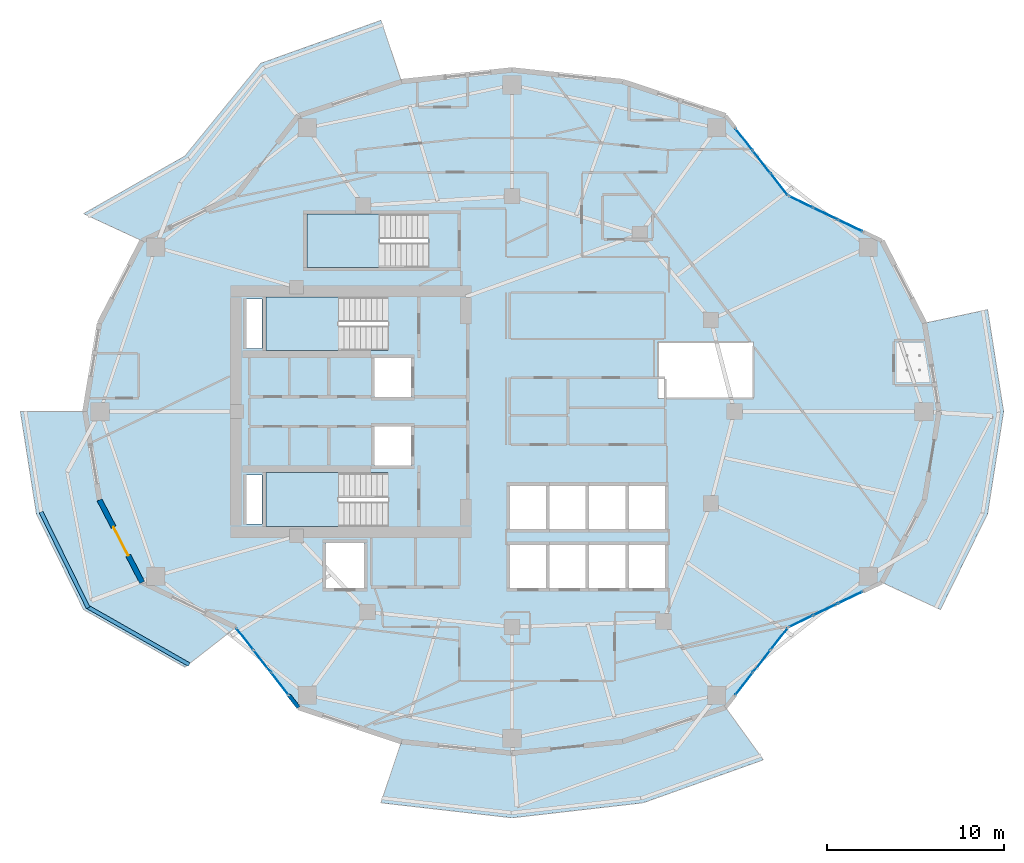
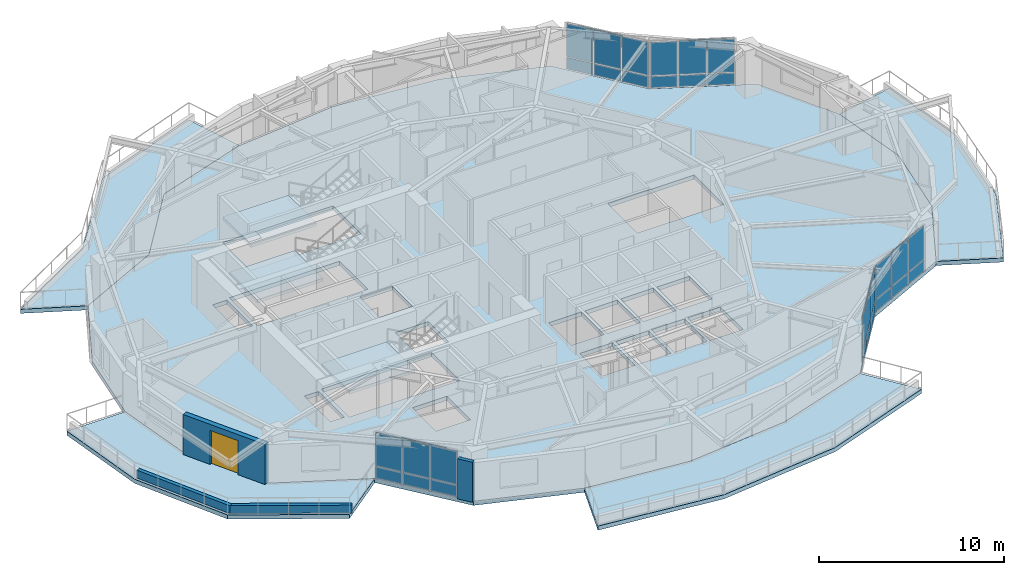
# One storey, part 7 of 19: 35 plates, 8 slabs, 4 walls, 1 door, 1 opening, 8 elements without a shape of their own.
"""IFC4 building model written with IfcOpenShell, lengths in metres."""

from ifc_helpers import new_model, si_unit, direction, frame, frame_2d, origin, origin_2d, place, context, subcontext, project, spatial, polyline, rectangle, outline, extrude, material, layer, layer_set, type_object, element, fill, aggregate, save


model = new_model("IFC4")

# Units and contexts
model_context = context("Model", 3, precision=1e-05, world=origin(), true_north=direction((0.0, 1.0)))
body_context = subcontext(model_context, "Body", "Model", "MODEL_VIEW")
ifc_project = project(units=[si_unit("LENGTHUNIT", "METRE"), si_unit("AREAUNIT", "SQUARE_METRE"), si_unit("VOLUMEUNIT", "CUBIC_METRE"), si_unit("PLANEANGLEUNIT", "RADIAN"), si_unit("MASSUNIT", "GRAM", prefix="KILO")], contexts=[model_context])

# Site, building, storey
site_placement = place(None, origin())
site = spatial("IfcSite", under=ifc_project, at=site_placement, CompositionType="ELEMENT")
building_placement = place(site_placement, origin())
building = spatial("IfcBuilding", under=site, at=building_placement, Name="Kolvaren Gate Tower and Convention Centre", CompositionType="ELEMENT")
storey_placement = place(building_placement, frame((0.0, 0.0, 122.300048828125)))
storey = spatial("IfcBuildingStorey", under=building, at=storey_placement, Name="L30", CompositionType="ELEMENT", Elevation=122.300048828125)

# Plates
ifc_material_1 = material(Name="Perforated Anodized Bronze Aluminium Sheet 6 mm", Category="aluminium")
ifc_layer_1 = layer(ifc_material_1, 0.011962890625)
ifc_layer_set_1 = layer_set([ifc_layer_1], Name="Perforated Anodized Bronze Aluminium Sheet 6 mm")
plate_type_1 = type_object("IfcPlateType", Name="ARCH-PL-SCREEN-PERF", PredefinedType="SHEET", material=ifc_layer_set_1)
for number, where, z_axis, x_axis, name in (
    (1, (48.42041015625, 37.948974609375, 2.2900390625), (0.0, 0.0, 1.0), (0.901362925045, -0.433064518696, 0.0), "Tower L30 Perforated Bronze Solar Screen SS-02"),
    (2, (43.993896484375, 41.490234375, 2.2900390625), (0.0, 0.0, 1.0), (0.616424499081, -0.787414018756, 0.0), "Tower L30 Perforated Bronze Solar Screen SS-03"),
    (3, (16.256103515625, 12.509765625, 2.2900390625), (0.0, 0.0, 1.0), (0.616424499081, -0.787414018756, 0.0), "Tower L30 Perforated Bronze Solar Screen SS-15"),
    (4, (43.993896484375, 12.509765625, 2.2900390625), (0.0, 0.0, 1.0), (0.616424499081, 0.787414018756, 0.0), "Tower L30 Perforated Bronze Solar Screen SS-20"),
    (5, (48.42041015625, 16.051025390625, 2.2900390625), (0.0, 0.0, 1.0), (0.901362925045, 0.433064518696, 0.0), "Tower L30 Perforated Bronze Solar Screen SS-21"),
):
    element("IfcPlate", number, at=place(storey_placement, frame(where, z_axis=z_axis, x_axis=x_axis)), inside=storey, type_object=plate_type_1, Name=name, PredefinedType="SHEET", context=body_context, shape_type="SweptSolid", body=[
        extrude(rectangle(XDim=2.60009765625, YDim=0.011962890625, at=origin_2d()), origin(), (0.0, 0.0, 1.0), 0.840087890625),
    ])

# Curtain wall, plates
ifc_material_2 = material(Name="Anodized Architectural Aluminium Alloy 6063-T6", Category="aluminium")
ifc_layer_2 = layer(ifc_material_2, 0.159912109375)
ifc_layer_set_2 = layer_set([ifc_layer_2], Name="Anodized Architectural Aluminium Alloy 6063-T6")
curtain_wall_type = type_object("IfcCurtainWallType", Name="CW-HTL-UNIT", PredefinedType="NOTDEFINED", material=ifc_layer_set_2)
curtain_wall_1_placement = place(storey_placement, origin())
curtain_wall_1 = element("IfcCurtainWall", 6, at=curtain_wall_1_placement, inside=storey, type_object=curtain_wall_type, Name="Tower L30 Unitised Curtain Wall CW-HTL-UNIT Bay 02", PredefinedType="NOTDEFINED")
ifc_material_3 = material(Name="Low-E Triple Insulated Glazing Unit 44 mm", Category="glass")
ifc_layer_3 = layer(ifc_material_3, 0.0439453125)
ifc_layer_set_3 = layer_set([ifc_layer_3], Name="Low-E Triple Insulated Glazing Unit 44 mm")
plate_type_2 = type_object("IfcPlateType", Name="CW-PL-IGU-44", PredefinedType="CURTAIN_PANEL", material=ifc_layer_set_3)
plate_1_placement = place(storey_placement, frame((46.48974609375, 38.87646484375, 0.88232421875), z_axis=(0.0, 0.0, 1.0), x_axis=(0.901360043967, -0.433070515205, 0.0)))
plate_1 = element("IfcPlate", 7, at=plate_1_placement, type_object=plate_type_2, Name="CW-03 panel 1.2", PredefinedType="CURTAIN_PANEL", context=body_context, shape_type="SweptSolid", body=[
    extrude(rectangle(XDim=1.4697265625, YDim=0.0439453125, at=origin_2d()), origin(), (0.0, 0.0, 1.0), 2.1826171875),
])
plate_2_placement = place(storey_placement, frame((47.8876953125, 38.204833984375, 0.88232421875), z_axis=(0.0, 0.0, 1.0), x_axis=(0.901360043967, -0.433070515205, 0.0)))
plate_2 = element("IfcPlate", 8, at=plate_2_placement, type_object=plate_type_2, Name="CW-03 panel 2.2", PredefinedType="CURTAIN_PANEL", context=body_context, shape_type="SweptSolid", body=[
    extrude(rectangle(XDim=1.50244140625, YDim=0.0439453125, at=origin_2d()), origin(), (0.0, 0.0, 1.0), 2.1826171875),
])
plate_3_placement = place(storey_placement, frame((49.285888671875, 37.533203125, 0.88232421875), z_axis=(0.0, 0.0, 1.0), x_axis=(0.901360043967, -0.433070515205, 0.0)))
plate_3 = element("IfcPlate", 9, at=plate_3_placement, type_object=plate_type_2, Name="CW-03 panel 3.2", PredefinedType="CURTAIN_PANEL", context=body_context, shape_type="SweptSolid", body=[
    extrude(rectangle(XDim=1.4697265625, YDim=0.0439453125, at=origin_2d()), origin(), (0.0, 0.0, 1.0), 2.1826171875),
])

curtain_wall_2_placement = place(storey_placement, origin())
curtain_wall_2 = element("IfcCurtainWall", 10, at=curtain_wall_2_placement, inside=storey, type_object=curtain_wall_type, Name="Tower L30 Unitised Curtain Wall CW-HTL-UNIT Bay 03", PredefinedType="NOTDEFINED")
plate_4_placement = place(storey_placement, frame((43.2705078125, 42.414306640625, 0.88232421875), z_axis=(0.0, 0.0, 1.0), x_axis=(0.616425876414, -0.787412940513, 0.0)))
plate_4 = element("IfcPlate", 11, at=plate_4_placement, type_object=plate_type_2, Name="CW-03 panel 1.2", PredefinedType="CURTAIN_PANEL", context=body_context, shape_type="SweptSolid", body=[
    extrude(rectangle(XDim=1.530029296875, YDim=0.0439453125, at=origin_2d()), origin(), (0.0, 0.0, 1.0), 2.1826171875),
])
plate_5_placement = place(storey_placement, frame((44.263671875, 41.1455078125, 0.88232421875), z_axis=(0.0, 0.0, 1.0), x_axis=(0.616425876414, -0.787412940513, 0.0)))
plate_5 = element("IfcPlate", 12, at=plate_5_placement, type_object=plate_type_2, Name="CW-03 panel 2.2", PredefinedType="CURTAIN_PANEL", context=body_context, shape_type="SweptSolid", body=[
    extrude(rectangle(XDim=1.5625, YDim=0.0439453125, at=origin_2d()), origin(), (0.0, 0.0, 1.0), 2.1826171875),
])
plate_6_placement = place(storey_placement, frame((45.257080078125, 39.876708984375, 0.88232421875), z_axis=(0.0, 0.0, 1.0), x_axis=(0.616425876414, -0.787412940513, 0.0)))
plate_6 = element("IfcPlate", 13, at=plate_6_placement, type_object=plate_type_2, Name="CW-03 panel 3.2", PredefinedType="CURTAIN_PANEL", context=body_context, shape_type="SweptSolid", body=[
    extrude(rectangle(XDim=1.530029296875, YDim=0.0439453125, at=origin_2d()), origin(), (0.0, 0.0, 1.0), 2.1826171875),
])

curtain_wall_3_placement = place(storey_placement, origin())
curtain_wall_3 = element("IfcCurtainWall", 14, at=curtain_wall_3_placement, inside=storey, type_object=curtain_wall_type, Name="Tower L30 Unitised Curtain Wall CW-HTL-UNIT Bay 15", PredefinedType="NOTDEFINED")
plate_7_placement = place(storey_placement, frame((14.992919921875, 14.123291015625, 0.88232421875), z_axis=(0.0, 0.0, 1.0), x_axis=(0.616428633699, -0.787410781966, 0.0)))
plate_7 = element("IfcPlate", 15, at=plate_7_placement, type_object=plate_type_2, Name="CW-03 panel 1.2", PredefinedType="CURTAIN_PANEL", context=body_context, shape_type="SweptSolid", body=[
    extrude(rectangle(XDim=1.5302734375, YDim=0.0439453125, at=origin_2d()), origin(), (0.0, 0.0, 1.0), 2.1826171875),
])
plate_8_placement = place(storey_placement, frame((15.986328125, 12.8544921875, 0.88232421875), z_axis=(0.0, 0.0, 1.0), x_axis=(0.616428633699, -0.787410781966, 0.0)))
plate_8 = element("IfcPlate", 16, at=plate_8_placement, type_object=plate_type_2, Name="CW-03 panel 2.2", PredefinedType="CURTAIN_PANEL", context=body_context, shape_type="SweptSolid", body=[
    extrude(rectangle(XDim=1.562744140625, YDim=0.0439453125, at=origin_2d()), origin(), (0.0, 0.0, 1.0), 2.1826171875),
])
plate_9_placement = place(storey_placement, frame((16.979736328125, 11.585693359375, 0.88232421875), z_axis=(0.0, 0.0, 1.0), x_axis=(0.616428633699, -0.787410781966, 0.0)))
plate_9 = element("IfcPlate", 17, at=plate_9_placement, type_object=plate_type_2, Name="CW-03 panel 3.2", PredefinedType="CURTAIN_PANEL", context=body_context, shape_type="SweptSolid", body=[
    extrude(rectangle(XDim=1.5302734375, YDim=0.0439453125, at=origin_2d()), origin(), (0.0, 0.0, 1.0), 2.1826171875),
])

curtain_wall_4_placement = place(storey_placement, origin())
curtain_wall_4 = element("IfcCurtainWall", 18, at=curtain_wall_4_placement, inside=storey, type_object=curtain_wall_type, Name="Tower L30 Unitised Curtain Wall CW-HTL-UNIT Bay 20", PredefinedType="NOTDEFINED")
plate_10_placement = place(storey_placement, frame((43.2705078125, 11.585693359375, 0.88232421875), z_axis=(0.0, 0.0, 1.0), x_axis=(0.616425876414, 0.787412940513, 0.0)))
plate_10 = element("IfcPlate", 19, at=plate_10_placement, type_object=plate_type_2, Name="CW-03 panel 1.2", PredefinedType="CURTAIN_PANEL", context=body_context, shape_type="SweptSolid", body=[
    extrude(rectangle(XDim=1.530029296875, YDim=0.0439453125, at=origin_2d()), origin(), (0.0, 0.0, 1.0), 2.1826171875),
])
plate_11_placement = place(storey_placement, frame((44.263671875, 12.8544921875, 0.88232421875), z_axis=(0.0, 0.0, 1.0), x_axis=(0.616425876414, 0.787412940513, 0.0)))
plate_11 = element("IfcPlate", 20, at=plate_11_placement, type_object=plate_type_2, Name="CW-03 panel 2.2", PredefinedType="CURTAIN_PANEL", context=body_context, shape_type="SweptSolid", body=[
    extrude(rectangle(XDim=1.5625, YDim=0.0439453125, at=origin_2d()), origin(), (0.0, 0.0, 1.0), 2.1826171875),
])
plate_12_placement = place(storey_placement, frame((45.257080078125, 14.123291015625, 0.88232421875), z_axis=(0.0, 0.0, 1.0), x_axis=(0.616425876414, 0.787412940513, 0.0)))
plate_12 = element("IfcPlate", 21, at=plate_12_placement, type_object=plate_type_2, Name="CW-03 panel 3.2", PredefinedType="CURTAIN_PANEL", context=body_context, shape_type="SweptSolid", body=[
    extrude(rectangle(XDim=1.530029296875, YDim=0.0439453125, at=origin_2d()), origin(), (0.0, 0.0, 1.0), 2.1826171875),
])

curtain_wall_5_placement = place(storey_placement, origin())
curtain_wall_5 = element("IfcCurtainWall", 22, at=curtain_wall_5_placement, inside=storey, type_object=curtain_wall_type, Name="Tower L30 Unitised Curtain Wall CW-HTL-UNIT Bay 21", PredefinedType="NOTDEFINED")
plate_13_placement = place(storey_placement, frame((46.48974609375, 15.12353515625, 0.88232421875), z_axis=(0.0, 0.0, 1.0), x_axis=(0.901360043967, 0.433070515205, 0.0)))
plate_13 = element("IfcPlate", 23, at=plate_13_placement, type_object=plate_type_2, Name="CW-03 panel 1.2", PredefinedType="CURTAIN_PANEL", context=body_context, shape_type="SweptSolid", body=[
    extrude(rectangle(XDim=1.4697265625, YDim=0.0439453125, at=origin_2d()), origin(), (0.0, 0.0, 1.0), 2.1826171875),
])
plate_14_placement = place(storey_placement, frame((47.8876953125, 15.795166015625, 0.88232421875), z_axis=(0.0, 0.0, 1.0), x_axis=(0.901360043967, 0.433070515205, 0.0)))
plate_14 = element("IfcPlate", 24, at=plate_14_placement, type_object=plate_type_2, Name="CW-03 panel 2.2", PredefinedType="CURTAIN_PANEL", context=body_context, shape_type="SweptSolid", body=[
    extrude(rectangle(XDim=1.50244140625, YDim=0.0439453125, at=origin_2d()), origin(), (0.0, 0.0, 1.0), 2.1826171875),
])
plate_15_placement = place(storey_placement, frame((49.285888671875, 16.466796875, 0.88232421875), z_axis=(0.0, 0.0, 1.0), x_axis=(0.901360043967, 0.433070515205, 0.0)))
plate_15 = element("IfcPlate", 25, at=plate_15_placement, type_object=plate_type_2, Name="CW-03 panel 3.2", PredefinedType="CURTAIN_PANEL", context=body_context, shape_type="SweptSolid", body=[
    extrude(rectangle(XDim=1.4697265625, YDim=0.0439453125, at=origin_2d()), origin(), (0.0, 0.0, 1.0), 2.1826171875),
])

# Plate
ifc_material_4 = material(Name="Solar-Control Laminated Curtain Glazing 36 mm", Category="glass")
ifc_layer_4 = layer(ifc_material_4, 0.035888671875)
ifc_layer_set_4 = layer_set([ifc_layer_4], Name="Solar-Control Laminated Curtain Glazing 36 mm")
plate_type_3 = type_object("IfcPlateType", Name="CW-PL-SPAN-36", PredefinedType="CURTAIN_PANEL", material=ifc_layer_set_4)
plate_16_placement = place(storey_placement, frame((46.48974609375, 38.87646484375, 0.06494140625), z_axis=(0.0, 0.0, 1.0), x_axis=(0.901360043967, -0.433070515205, 0.0)))
plate_16 = element("IfcPlate", 26, at=plate_16_placement, type_object=plate_type_3, Name="CW-03 panel 1.1", PredefinedType="CURTAIN_PANEL", context=body_context, shape_type="SweptSolid", body=[
    extrude(rectangle(XDim=1.4697265625, YDim=0.035888671875, at=origin_2d()), origin(), (0.0, 0.0, 1.0), 0.75244140625),
])

plate_17_placement = place(storey_placement, frame((47.8876953125, 38.204833984375, 0.06494140625), z_axis=(0.0, 0.0, 1.0), x_axis=(0.901360043967, -0.433070515205, 0.0)))
plate_17 = element("IfcPlate", 27, at=plate_17_placement, type_object=plate_type_3, Name="CW-03 panel 2.1", PredefinedType="CURTAIN_PANEL", context=body_context, shape_type="SweptSolid", body=[
    extrude(rectangle(XDim=1.50244140625, YDim=0.035888671875, at=origin_2d()), origin(), (0.0, 0.0, 1.0), 0.75244140625),
])

plate_18_placement = place(storey_placement, frame((49.285888671875, 37.533203125, 0.06494140625), z_axis=(0.0, 0.0, 1.0), x_axis=(0.901360043967, -0.433070515205, 0.0)))
plate_18 = element("IfcPlate", 28, at=plate_18_placement, type_object=plate_type_3, Name="CW-03 panel 3.1", PredefinedType="CURTAIN_PANEL", context=body_context, shape_type="SweptSolid", body=[
    extrude(rectangle(XDim=1.4697265625, YDim=0.035888671875, at=origin_2d()), origin(), (0.0, 0.0, 1.0), 0.75244140625),
])

aggregate(curtain_wall_1, [plate_16, plate_1, plate_17, plate_2, plate_18, plate_3])

plate_19_placement = place(storey_placement, frame((43.2705078125, 42.414306640625, 0.06494140625), z_axis=(0.0, 0.0, 1.0), x_axis=(0.616425876414, -0.787412940513, 0.0)))
plate_19 = element("IfcPlate", 29, at=plate_19_placement, type_object=plate_type_3, Name="CW-03 panel 1.1", PredefinedType="CURTAIN_PANEL", context=body_context, shape_type="SweptSolid", body=[
    extrude(rectangle(XDim=1.530029296875, YDim=0.035888671875, at=origin_2d()), origin(), (0.0, 0.0, 1.0), 0.75244140625),
])

plate_20_placement = place(storey_placement, frame((44.263671875, 41.1455078125, 0.06494140625), z_axis=(0.0, 0.0, 1.0), x_axis=(0.616425876414, -0.787412940513, 0.0)))
plate_20 = element("IfcPlate", 30, at=plate_20_placement, type_object=plate_type_3, Name="CW-03 panel 2.1", PredefinedType="CURTAIN_PANEL", context=body_context, shape_type="SweptSolid", body=[
    extrude(rectangle(XDim=1.5625, YDim=0.035888671875, at=origin_2d()), origin(), (0.0, 0.0, 1.0), 0.75244140625),
])

plate_21_placement = place(storey_placement, frame((45.257080078125, 39.876708984375, 0.06494140625), z_axis=(0.0, 0.0, 1.0), x_axis=(0.616425876414, -0.787412940513, 0.0)))
plate_21 = element("IfcPlate", 31, at=plate_21_placement, type_object=plate_type_3, Name="CW-03 panel 3.1", PredefinedType="CURTAIN_PANEL", context=body_context, shape_type="SweptSolid", body=[
    extrude(rectangle(XDim=1.530029296875, YDim=0.035888671875, at=origin_2d()), origin(), (0.0, 0.0, 1.0), 0.75244140625),
])

aggregate(curtain_wall_2, [plate_19, plate_4, plate_20, plate_5, plate_21, plate_6])

plate_22_placement = place(storey_placement, frame((14.992919921875, 14.123291015625, 0.06494140625), z_axis=(0.0, 0.0, 1.0), x_axis=(0.616428633699, -0.787410781966, 0.0)))
plate_22 = element("IfcPlate", 32, at=plate_22_placement, type_object=plate_type_3, Name="CW-03 panel 1.1", PredefinedType="CURTAIN_PANEL", context=body_context, shape_type="SweptSolid", body=[
    extrude(rectangle(XDim=1.5302734375, YDim=0.035888671875, at=origin_2d()), origin(), (0.0, 0.0, 1.0), 0.75244140625),
])

plate_23_placement = place(storey_placement, frame((15.986328125, 12.8544921875, 0.06494140625), z_axis=(0.0, 0.0, 1.0), x_axis=(0.616428633699, -0.787410781966, 0.0)))
plate_23 = element("IfcPlate", 33, at=plate_23_placement, type_object=plate_type_3, Name="CW-03 panel 2.1", PredefinedType="CURTAIN_PANEL", context=body_context, shape_type="SweptSolid", body=[
    extrude(rectangle(XDim=1.562744140625, YDim=0.035888671875, at=origin_2d()), origin(), (0.0, 0.0, 1.0), 0.75244140625),
])

plate_24_placement = place(storey_placement, frame((16.979736328125, 11.585693359375, 0.06494140625), z_axis=(0.0, 0.0, 1.0), x_axis=(0.616428633699, -0.787410781966, 0.0)))
plate_24 = element("IfcPlate", 34, at=plate_24_placement, type_object=plate_type_3, Name="CW-03 panel 3.1", PredefinedType="CURTAIN_PANEL", context=body_context, shape_type="SweptSolid", body=[
    extrude(rectangle(XDim=1.5302734375, YDim=0.035888671875, at=origin_2d()), origin(), (0.0, 0.0, 1.0), 0.75244140625),
])

aggregate(curtain_wall_3, [plate_22, plate_7, plate_23, plate_8, plate_24, plate_9])

plate_25_placement = place(storey_placement, frame((43.2705078125, 11.585693359375, 0.06494140625), z_axis=(0.0, 0.0, 1.0), x_axis=(0.616425876414, 0.787412940513, 0.0)))
plate_25 = element("IfcPlate", 35, at=plate_25_placement, type_object=plate_type_3, Name="CW-03 panel 1.1", PredefinedType="CURTAIN_PANEL", context=body_context, shape_type="SweptSolid", body=[
    extrude(rectangle(XDim=1.530029296875, YDim=0.035888671875, at=origin_2d()), origin(), (0.0, 0.0, 1.0), 0.75244140625),
])

plate_26_placement = place(storey_placement, frame((44.263671875, 12.8544921875, 0.06494140625), z_axis=(0.0, 0.0, 1.0), x_axis=(0.616425876414, 0.787412940513, 0.0)))
plate_26 = element("IfcPlate", 36, at=plate_26_placement, type_object=plate_type_3, Name="CW-03 panel 2.1", PredefinedType="CURTAIN_PANEL", context=body_context, shape_type="SweptSolid", body=[
    extrude(rectangle(XDim=1.5625, YDim=0.035888671875, at=origin_2d()), origin(), (0.0, 0.0, 1.0), 0.75244140625),
])

plate_27_placement = place(storey_placement, frame((45.257080078125, 14.123291015625, 0.06494140625), z_axis=(0.0, 0.0, 1.0), x_axis=(0.616425876414, 0.787412940513, 0.0)))
plate_27 = element("IfcPlate", 37, at=plate_27_placement, type_object=plate_type_3, Name="CW-03 panel 3.1", PredefinedType="CURTAIN_PANEL", context=body_context, shape_type="SweptSolid", body=[
    extrude(rectangle(XDim=1.530029296875, YDim=0.035888671875, at=origin_2d()), origin(), (0.0, 0.0, 1.0), 0.75244140625),
])

aggregate(curtain_wall_4, [plate_25, plate_10, plate_26, plate_11, plate_27, plate_12])

plate_28_placement = place(storey_placement, frame((46.48974609375, 15.12353515625, 0.06494140625), z_axis=(0.0, 0.0, 1.0), x_axis=(0.901360043967, 0.433070515205, 0.0)))
plate_28 = element("IfcPlate", 38, at=plate_28_placement, type_object=plate_type_3, Name="CW-03 panel 1.1", PredefinedType="CURTAIN_PANEL", context=body_context, shape_type="SweptSolid", body=[
    extrude(rectangle(XDim=1.4697265625, YDim=0.035888671875, at=origin_2d()), origin(), (0.0, 0.0, 1.0), 0.75244140625),
])

plate_29_placement = place(storey_placement, frame((47.8876953125, 15.795166015625, 0.06494140625), z_axis=(0.0, 0.0, 1.0), x_axis=(0.901360043967, 0.433070515205, 0.0)))
plate_29 = element("IfcPlate", 39, at=plate_29_placement, type_object=plate_type_3, Name="CW-03 panel 2.1", PredefinedType="CURTAIN_PANEL", context=body_context, shape_type="SweptSolid", body=[
    extrude(rectangle(XDim=1.50244140625, YDim=0.035888671875, at=origin_2d()), origin(), (0.0, 0.0, 1.0), 0.75244140625),
])

plate_30_placement = place(storey_placement, frame((49.285888671875, 16.466796875, 0.06494140625), z_axis=(0.0, 0.0, 1.0), x_axis=(0.901360043967, 0.433070515205, 0.0)))
plate_30 = element("IfcPlate", 40, at=plate_30_placement, type_object=plate_type_3, Name="CW-03 panel 3.1", PredefinedType="CURTAIN_PANEL", context=body_context, shape_type="SweptSolid", body=[
    extrude(rectangle(XDim=1.4697265625, YDim=0.035888671875, at=origin_2d()), origin(), (0.0, 0.0, 1.0), 0.75244140625),
])

aggregate(curtain_wall_5, [plate_28, plate_13, plate_29, plate_14, plate_30, plate_15])

# Slabs
ifc_material_5 = material(Name="Concrete C50/60", Category="concrete")
ifc_layer_5 = layer(ifc_material_5, 0.27001953125)
ifc_layer_set_5 = layer_set([ifc_layer_5], Name="Concrete C50/60")
slab_type_1 = type_object("IfcSlabType", Name="STR-SL-BALC-270", PredefinedType="FLOOR", material=ifc_layer_set_5)
slab_1_placement = place(storey_placement, frame((0.0, 0.0, -0.27001953125)))
element("IfcSlab", 41, at=slab_1_placement, inside=storey, type_object=slab_type_1, Name="Tower L30 Planted Balcony Terrace Slab 1 (North)", PredefinedType="FLOOR", context=body_context, shape_type="SweptSolid", body=[
    extrude(outline(polyline([(23.86474609375, 45.690673828125), (18.03125, 43.757568359375), (14.481201171875, 39.222900390625), (9.177978515625, 36.675048828125), (5.855224609375, 38.209716796875), (11.597412109375, 41.476318359375), (15.889404296875, 46.725341796875), (22.702392578125, 49.1611328125), (23.86474609375, 45.690673828125)])), origin(), (0.0, 0.0, 1.0), 0.27001953125),
])
slab_2_placement = place(storey_placement, frame((0.0, 0.0, -0.27001953125)))
element("IfcSlab", 42, at=slab_2_placement, inside=storey, type_object=slab_type_1, Name="Tower L30 Planted Balcony Terrace Slab 2 (West)", PredefinedType="FLOOR", context=body_context, shape_type="SweptSolid", body=[
    extrude(outline(polyline([(5.9375, 27.0), (6.76171875, 21.991943359375), (9.177978515625, 17.324951171875), (14.481201171875, 14.777099609375), (11.597412109375, 12.523681640625), (5.855224609375, 15.790283203125), (3.18310546875, 21.224853515625), (2.277587890625, 27.0), (5.9375, 27.0)])), origin(), (0.0, 0.0, 1.0), 0.27001953125),
])
slab_3_placement = place(storey_placement, frame((0.0, 0.0, -0.27001953125)))
element("IfcSlab", 43, at=slab_3_placement, inside=storey, type_object=slab_type_1, Name="Tower L30 Planted Balcony Terrace Slab 3 (South)", PredefinedType="FLOOR", context=body_context, shape_type="SweptSolid", body=[
    extrude(outline(polyline([(23.86474609375, 8.309326171875), (30.125, 7.64990234375), (36.38525390625, 8.309326171875), (42.21875, 10.242431640625), (44.360595703125, 7.274658203125), (37.547607421875, 4.8388671875), (30.125, 3.989990234375), (22.702392578125, 4.8388671875), (23.86474609375, 8.309326171875)])), origin(), (0.0, 0.0, 1.0), 0.27001953125),
])
slab_4_placement = place(storey_placement, frame((0.0, 0.0, -0.27001953125)))
element("IfcSlab", 44, at=slab_4_placement, inside=storey, type_object=slab_type_1, Name="Tower L30 Planted Balcony Terrace Slab 4 (East)", PredefinedType="FLOOR", context=body_context, shape_type="SweptSolid", body=[
    extrude(outline(polyline([(51.072021484375, 17.324951171875), (53.48828125, 21.991943359375), (54.3125, 27.0), (53.48828125, 32.008056640625), (57.06689453125, 32.775146484375), (57.972412109375, 27.0), (57.06689453125, 21.224853515625), (54.394775390625, 15.790283203125), (51.072021484375, 17.324951171875)])), origin(), (0.0, 0.0, 1.0), 0.27001953125),
])
ifc_material_6 = material(Name="Concrete C40/50", Category="concrete")
ifc_layer_6 = layer(ifc_material_6, 0.27001953125)
ifc_layer_set_6 = layer_set([ifc_layer_6], Name="Concrete C40/50")
slab_type_2 = type_object("IfcSlabType", Name="STR-SL-FLR-270", PredefinedType="FLOOR", material=ifc_layer_set_6)
slab_5_placement = place(storey_placement, frame((0.0, 0.0, -0.27001953125)))
element("IfcSlab", 45, at=slab_5_placement, inside=storey, type_object=slab_type_2, Name="Tower L30 Structural Floor Slab", PredefinedType="FLOOR", context=body_context, shape_type="SweptSolid", body=[
    extrude(outline(polyline([(54.3125, 27.0), (53.48828125, 32.008056640625), (51.072021484375, 36.675048828125), (45.768798828125, 39.222900390625), (42.21875, 43.757568359375), (36.38525390625, 45.690673828125), (30.125, 46.35009765625), (23.86474609375, 45.690673828125), (18.03125, 43.757568359375), (14.481201171875, 39.222900390625), (9.177978515625, 36.675048828125), (6.76171875, 32.008056640625), (5.9375, 27.0), (6.76171875, 21.991943359375), (9.177978515625, 17.324951171875), (14.481201171875, 14.777099609375), (18.03125, 10.242431640625), (23.86474609375, 8.309326171875), (30.125, 7.64990234375), (36.38525390625, 8.309326171875), (42.21875, 10.242431640625), (45.768798828125, 14.777099609375), (51.072021484375, 17.324951171875), (53.48828125, 21.991943359375), (54.3125, 27.0)]), holes=[polyline([(38.39990234375, 30.949951171875), (43.800048828125, 30.949951171875), (43.800048828125, 27.75), (38.39990234375, 27.75), (38.39990234375, 30.949951171875)]), polyline([(36.75, 22.800048828125), (38.800048828125, 22.800048828125), (38.800048828125, 20.35009765625), (36.75, 20.35009765625), (36.75, 22.800048828125)]), polyline([(36.75, 17.0), (36.75, 19.449951171875), (38.800048828125, 19.449951171875), (38.800048828125, 17.0), (36.75, 17.0)]), polyline([(34.5, 20.35009765625), (34.5, 22.800048828125), (36.550048828125, 22.800048828125), (36.550048828125, 20.35009765625), (34.5, 20.35009765625)]), polyline([(34.5, 17.0), (34.5, 19.449951171875), (36.550048828125, 19.449951171875), (36.550048828125, 17.0), (34.5, 17.0)]), polyline([(32.25, 20.35009765625), (32.25, 22.800048828125), (34.300048828125, 22.800048828125), (34.300048828125, 20.35009765625), (32.25, 20.35009765625)]), polyline([(32.25, 17.0), (32.25, 19.449951171875), (34.300048828125, 19.449951171875), (34.300048828125, 17.0), (32.25, 17.0)]), polyline([(30.0, 17.0), (30.0, 19.449951171875), (32.050048828125, 19.449951171875), (32.050048828125, 17.0), (30.0, 17.0)]), polyline([(30.0, 20.35009765625), (30.0, 22.800048828125), (32.050048828125, 22.800048828125), (32.050048828125, 20.35009765625), (30.0, 20.35009765625)]), polyline([(25.39990234375, 38.199951171875), (25.39990234375, 35.159912109375), (18.5, 35.159912109375), (18.5, 38.199951171875), (25.39990234375, 38.199951171875)]), polyline([(22.35009765625, 27.840087890625), (22.35009765625, 30.0400390625), (24.39990234375, 30.0400390625), (24.39990234375, 27.840087890625), (22.35009765625, 27.840087890625)]), polyline([(22.35009765625, 23.9599609375), (22.35009765625, 26.159912109375), (24.39990234375, 26.159912109375), (24.39990234375, 23.9599609375), (22.35009765625, 23.9599609375)]), polyline([(23.10009765625, 33.5), (23.10009765625, 30.4599609375), (16.199951171875, 30.4599609375), (16.199951171875, 33.5), (23.10009765625, 33.5)]), polyline([(23.10009765625, 23.5400390625), (23.10009765625, 20.5), (16.199951171875, 20.5), (16.199951171875, 23.5400390625), (23.10009765625, 23.5400390625)]), polyline([(19.60009765625, 17.0), (19.60009765625, 19.550048828125), (21.75, 19.550048828125), (21.75, 17.0), (19.60009765625, 17.0)]), polyline([(15.080078125, 20.6298828125), (15.080078125, 23.419921875), (15.969970703125, 23.419921875), (15.969970703125, 20.6298828125), (15.080078125, 20.6298828125)]), polyline([(15.080078125, 30.580078125), (15.080078125, 33.3701171875), (15.969970703125, 33.3701171875), (15.969970703125, 30.580078125), (15.080078125, 30.580078125)])]), origin(), (0.0, 0.0, 1.0), 0.27001953125),
])

# Stair, slab
stair_type = type_object("IfcStairType", Name="STR-STAIR-CORE", PredefinedType="HALF_TURN_STAIR", material=ifc_material_5)
stair_1_placement = place(storey_placement, origin())
stair_1 = element("IfcStair", 46, at=stair_1_placement, inside=storey, type_object=stair_type, Name="L30 Tower North Exit Stair ST-T1", PredefinedType="HALF_TURN_STAIR")
ifc_layer_7 = layer(ifc_material_5, 0.199951171875)
ifc_layer_set_7 = layer_set([ifc_layer_7], Name="Concrete C50/60")
slab_type_3 = type_object("IfcSlabType", Name="STR-SL-LAND-200", PredefinedType="LANDING", material=ifc_layer_set_7)
slab_6_placement = place(storey_placement, frame((0.0, 0.0, 1.5)))
slab_6 = element("IfcSlab", 47, at=slab_6_placement, type_object=slab_type_3, Name="ST-T1 landing 1", PredefinedType="LANDING", context=body_context, shape_type="SweptSolid", body=[
    extrude(outline(polyline([(20.31005859375, 33.5), (16.199951171875, 33.5), (16.199951171875, 30.4599609375), (20.31005859375, 30.4599609375), (20.31005859375, 33.5)])), origin(), (0.0, 0.0, 1.0), 0.199951171875),
])
aggregate(stair_1, [slab_6])

stair_2_placement = place(storey_placement, origin())
stair_2 = element("IfcStair", 48, at=stair_2_placement, inside=storey, type_object=stair_type, Name="L30 Tower South Exit Stair ST-T2", PredefinedType="HALF_TURN_STAIR")
slab_7_placement = place(storey_placement, frame((0.0, 0.0, 1.5)))
slab_7 = element("IfcSlab", 49, at=slab_7_placement, type_object=slab_type_3, Name="ST-T2 landing 1", PredefinedType="LANDING", context=body_context, shape_type="SweptSolid", body=[
    extrude(outline(polyline([(20.31005859375, 23.5400390625), (16.199951171875, 23.5400390625), (16.199951171875, 20.5), (20.31005859375, 20.5), (20.31005859375, 23.5400390625)])), origin(), (0.0, 0.0, 1.0), 0.199951171875),
])
aggregate(stair_2, [slab_7])

stair_3_placement = place(storey_placement, origin())
stair_3 = element("IfcStair", 50, at=stair_3_placement, inside=storey, type_object=stair_type, Name="L30 Tower Mid-Zone Exit Stair ST-T3", PredefinedType="HALF_TURN_STAIR")
slab_8_placement = place(storey_placement, frame((0.0, 0.0, 1.5)))
slab_8 = element("IfcSlab", 51, at=slab_8_placement, type_object=slab_type_3, Name="ST-T3 landing 1", PredefinedType="LANDING", context=body_context, shape_type="SweptSolid", body=[
    extrude(outline(polyline([(22.610107421875, 38.199951171875), (18.5, 38.199951171875), (18.5, 35.159912109375), (22.610107421875, 35.159912109375), (22.610107421875, 38.199951171875)])), origin(), (0.0, 0.0, 1.0), 0.199951171875),
])
aggregate(stair_3, [slab_8])

# Walls
ifc_material_7 = material(Name="Bogota Sabana Bush-Hammered Sandstone Cladding", Category="masonry")
ifc_layer_8 = layer(ifc_material_7, 0.219970703125)
ifc_layer_set_8 = layer_set([ifc_layer_8], Name="Bogota Sabana Bush-Hammered Sandstone Cladding")
wall_type_1 = type_object("IfcWallType", Name="ARCH-WL-PIER-220", PredefinedType="SOLIDWALL", material=ifc_layer_set_8)
wall_1_placement = place(storey_placement, frame((17.4912109375, 10.93212890625, 0.0), z_axis=(0.0, 0.0, 1.0), x_axis=(0.61650363284, -0.787352062736, 0.0)))
element("IfcWall", 52, at=wall_1_placement, inside=storey, type_object=wall_type_1, Name="Tower L30 Unitised Curtain Wall CW-HTL-UNIT Bay 15 Right Column Pier Wrap", PredefinedType="SOLIDWALL", context=body_context, shape_type="SweptSolid", body=[
    extrude(rectangle(XDim=0.8759765625, YDim=0.219970703125, at=frame_2d((0.43798828125, 0.0))), origin(), (0.0, 0.0, 1.0), 2.65283203125),
])
ifc_material_8 = material(Name="Piedmont Cream Honed Limestone Cladding", Category="masonry")
ifc_layer_9 = layer(ifc_material_8, 0.219970703125)
ifc_layer_set_9 = layer_set([ifc_layer_9], Name="Piedmont Cream Honed Limestone Cladding")
wall_type_2 = type_object("IfcWallType", Name="ARCH-WL-PLANTER-220", PredefinedType="PARAPET", material=ifc_layer_set_9)
wall_2_placement = place(storey_placement, frame((3.44873046875, 21.31298828125, 0.0), z_axis=(0.0, 0.0, 1.0), x_axis=(0.441269631716, -0.897374566235, 0.0)))
element("IfcWall", 53, at=wall_2_placement, inside=storey, type_object=wall_type_2, Name="Vertical-Forest Balcony Stone Planter Kerb PK-L30-2.2", PredefinedType="PARAPET", context=body_context, shape_type="SweptSolid", body=[
    extrude(rectangle(XDim=6.05615234375, YDim=0.219970703125, at=frame_2d((3.028076171875, 0.0))), origin(), (0.0, 0.0, 1.0), 0.52001953125),
])
wall_3_placement = place(storey_placement, frame((6.095458984375, 15.934326171875, 0.0), z_axis=(0.0, 0.0, 1.0), x_axis=(0.869187658335, -0.494482370361, 0.0)))
element("IfcWall", 54, at=wall_3_placement, inside=storey, type_object=wall_type_2, Name="Vertical-Forest Balcony Stone Planter Kerb PK-L30-2.3", PredefinedType="PARAPET", context=body_context, shape_type="SweptSolid", body=[
    extrude(rectangle(XDim=6.606201171875, YDim=0.219970703125, at=frame_2d((3.30322265625, 0.0))), origin(), (0.0, 0.0, 1.0), 0.52001953125),
])

# Wall, opening, door
ifc_layer_10 = layer(ifc_material_8, 0.300048828125)
ifc_layer_set_10 = layer_set([ifc_layer_10], Name="Piedmont Cream Honed Limestone Cladding")
wall_type_3 = type_object("IfcWallType", Name="ARCH-WL-STONE-300", PredefinedType="SOLIDWALL", material=ifc_layer_set_10)
wall_4_placement = place(storey_placement, frame((6.76171875, 21.991943359375, 0.0), z_axis=(0.0, 0.0, 1.0), x_axis=(0.459767899643, -0.888039119892, 0.0)))
wall_4 = element("IfcWall", 55, at=wall_4_placement, inside=storey, type_object=wall_type_3, Name="Tower L30 Honed Stone Spandrel Wall EW-13", PredefinedType="SOLIDWALL", context=body_context, shape_type="SweptSolid", body=[
    extrude(rectangle(XDim=5.25537109375, YDim=0.300048828125, at=frame_2d((2.627685546875, 0.0))), origin(), (0.0, 0.0, 1.0), 2.65283203125),
])
opening_placement = place(wall_4_placement, frame((1.72802734375, 0.0, 0.0)))
opening = element("IfcOpeningElement", 56, at=opening_placement, cuts=wall_4, Name="Opening DB-01", PredefinedType="OPENING", context=body_context, shape_type="SweptSolid", body=[
    extrude(rectangle(XDim=1.800048828125, YDim=2.25, at=frame_2d((0.89990234375, 1.125))), frame((0.0, 0.159912109375, 0.0), z_axis=(0.0, -1.0, 0.0), x_axis=(1.0, 0.0, 0.0)), (0.0, 0.0, 1.0), 0.320068359375),
])
door_type = type_object("IfcDoorType", Name="ARCH-DR-BALC-1800", OperationType="SLIDING_TO_LEFT", PredefinedType="DOOR", material=ifc_material_2)
door_placement = place(opening_placement, frame((1.800048828125, 0.0, 0.0), z_axis=(0.0, 0.0, 1.0), x_axis=(-1.0, 0.0, 0.0)))
door = element("IfcDoor", 57, at=door_placement, inside=storey, type_object=door_type, Name="Planted Sky Terrace Access Door DB-L30-13", OperationType="SLIDING_TO_LEFT", OverallHeight=2.25, OverallWidth=1.800048828125, PredefinedType="DOOR", context=body_context, shape_type="SweptSolid", body=[
    extrude(rectangle(XDim=1.800048828125, YDim=2.25, at=frame_2d((0.89990234375, 1.125))), frame((0.0, 0.02490234375, 0.0), z_axis=(0.0, -1.0, 0.0), x_axis=(1.0, 0.0, 0.0)), (0.0, 0.0, 1.0), 0.050048828125),
])
fill(opening, door)

save(model, "model.ifc")
